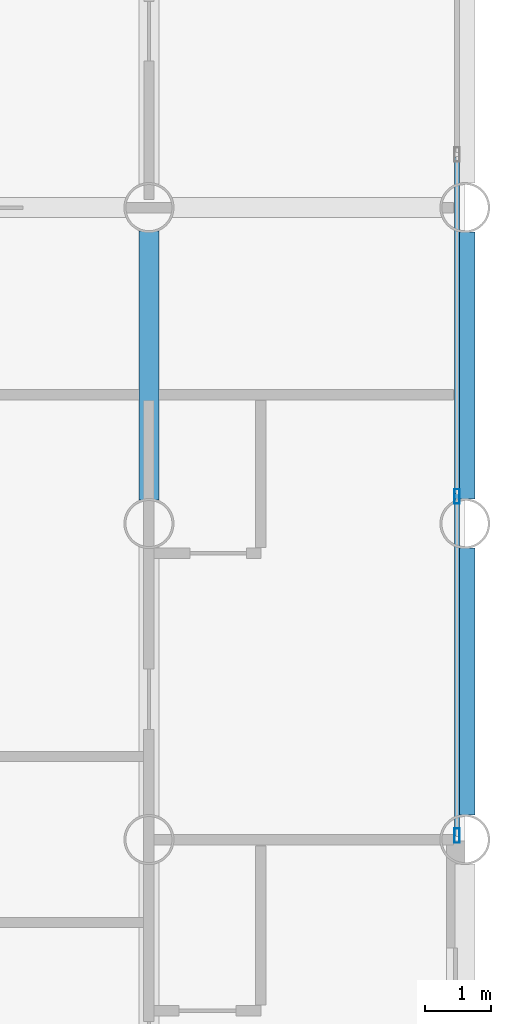
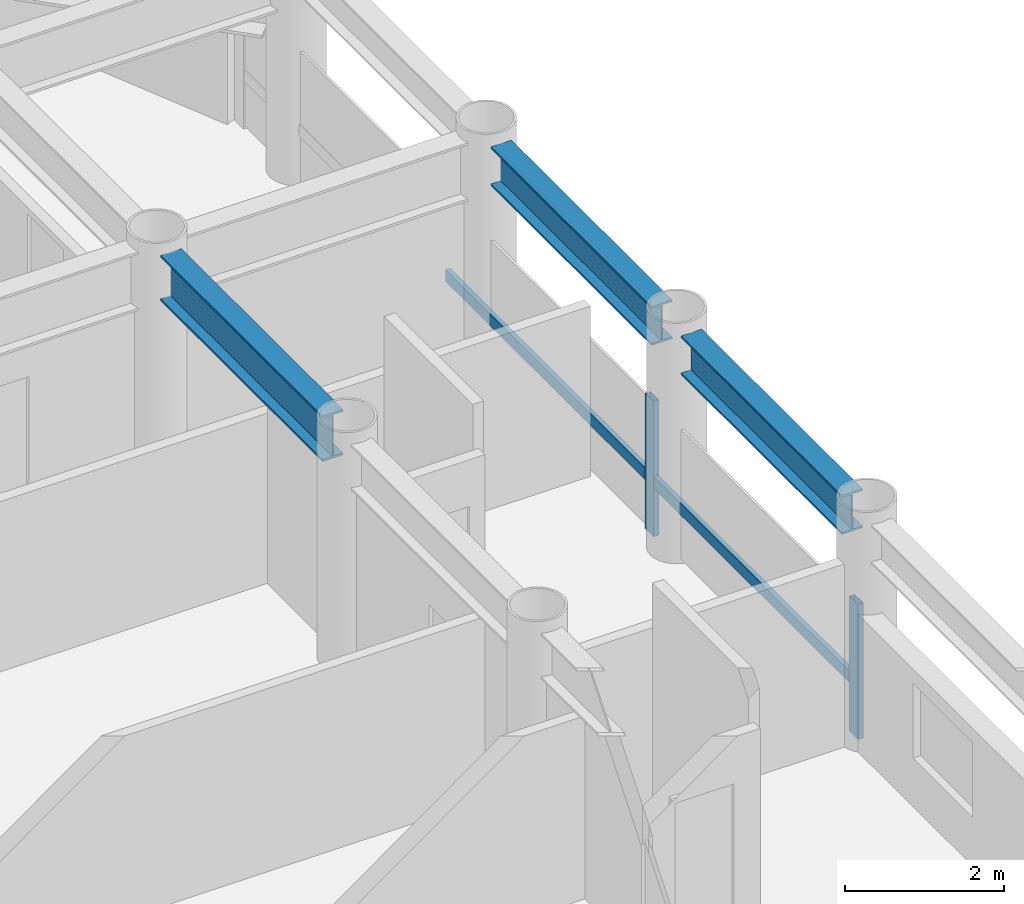
# One storey, part 8 of 20: 4 members, 3 beams, 1 element without a shape of its own.
"""IFC4 building model written with IfcOpenShell, lengths in metres."""

from ifc_helpers import new_model, si_unit, direction, frame, origin, origin_2d, place, context, subcontext, project, spatial, hollow_rectangle, i_section, extrude, material, layer, layer_set, material_profile, profile_set, type_object, element, aggregate, save


model = new_model("IFC4")

# Units and contexts
model_context = context("Model", 3, precision=1e-05, world=origin(), true_north=direction((0.0, 1.0)))
body_context = subcontext(model_context, "Body", "Model", "MODEL_VIEW")
ifc_project = project(units=[si_unit("LENGTHUNIT", "METRE"), si_unit("AREAUNIT", "SQUARE_METRE"), si_unit("VOLUMEUNIT", "CUBIC_METRE"), si_unit("PLANEANGLEUNIT", "RADIAN"), si_unit("MASSUNIT", "GRAM", prefix="KILO")], contexts=[model_context])

# Site, building, storey
site_placement = place(None, origin())
site = spatial("IfcSite", under=ifc_project, at=site_placement, CompositionType="ELEMENT")
building_placement = place(site_placement, origin())
building = spatial("IfcBuilding", under=site, at=building_placement, Name="Kallvorn Hotel Tower", CompositionType="ELEMENT")
storey_placement = place(building_placement, frame((0.0, 0.0, 78.10009765625)))
storey = spatial("IfcBuildingStorey", under=building, at=storey_placement, Name="L18", CompositionType="ELEMENT", Elevation=78.10009765625)

# Beams
ifc_material_1 = material(Name="Structural steel S355JR", Category="steel")
ifc_material_profile_1 = material_profile(ifc_material_1, i_section(OverallWidth=0.300048828125, OverallDepth=0.60009765625, WebThickness=0.015380859375, FlangeThickness=0.030029296875, at=origin_2d()), Name="HE 600 B")
ifc_profile_set_1 = profile_set([ifc_material_profile_1], Name="Structural steel S355JR")
beam_type_1 = type_object("IfcBeamType", Name="BM_HE600B", PredefinedType="SPANDREL", material=ifc_profile_set_1)
beam_1_placement = place(storey_placement, frame((33.60009765625, 0.37109375, 3.219970703125), z_axis=(0.0, 1.0, 0.0), x_axis=(-1.0, 0.0, 0.0)))
element("IfcBeam", 1, at=beam_1_placement, inside=storey, type_object=beam_type_1, Name="L19 Perimeter Spandrel 186", PredefinedType="SPANDREL", context=body_context, shape_type="SweptSolid", body=[
    extrude(i_section(OverallWidth=0.300048828125, OverallDepth=0.60009765625, WebThickness=0.015380859375, FlangeThickness=0.030029296875, at=origin_2d()), origin(), (0.0, 0.0, 1.0), 4.057861328125),
])
beam_2_placement = place(storey_placement, frame((33.60009765625, 5.1708984375, 3.219970703125), z_axis=(0.0, 1.0, 0.0), x_axis=(-1.0, 0.0, 0.0)))
element("IfcBeam", 2, at=beam_2_placement, inside=storey, type_object=beam_type_1, Name="L19 Perimeter Spandrel 187", PredefinedType="SPANDREL", context=body_context, shape_type="SweptSolid", body=[
    extrude(i_section(OverallWidth=0.300048828125, OverallDepth=0.60009765625, WebThickness=0.015380859375, FlangeThickness=0.030029296875, at=origin_2d()), origin(), (0.0, 0.0, 1.0), 4.05810546875),
])
ifc_material_2 = material(Name="Structural steel S355JR", Category="steel")
ifc_material_profile_2 = material_profile(ifc_material_2, i_section(OverallWidth=0.300048828125, OverallDepth=0.699951171875, WebThickness=0.01708984375, FlangeThickness=0.031982421875, at=origin_2d()), Name="HE 700 B")
ifc_profile_set_2 = profile_set([ifc_material_profile_2], Name="Structural steel S355JR")
beam_type_2 = type_object("IfcBeamType", Name="BM_HE700B", PredefinedType="BEAM", material=ifc_profile_set_2)
beam_3_placement = place(storey_placement, frame((28.800048828125, 5.156005859375, 3.169921875), z_axis=(0.0, 1.0, 0.0), x_axis=(-1.0, 0.0, 0.0)))
element("IfcBeam", 3, at=beam_3_placement, inside=storey, type_object=beam_type_2, Name="L19 Primary Y-Girder 148", PredefinedType="BEAM", context=body_context, shape_type="SweptSolid", body=[
    extrude(i_section(OverallWidth=0.300048828125, OverallDepth=0.699951171875, WebThickness=0.01708984375, FlangeThickness=0.031982421875, at=origin_2d()), origin(), (0.0, 0.0, 1.0), 4.087890625),
])

# Curtain wall, members
ifc_material_3 = material(Name="Thermally broken black-anodised aluminium AA 6063-T6", Category="aluminium")
ifc_layer = layer(ifc_material_3, 0.199951171875)
ifc_layer_set = layer_set([ifc_layer], Name="CW_SYS_3_HOTEL_LOW")
curtain_wall_type = type_object("IfcCurtainWallType", Name="CW_SYS_3_HOTEL_LOW", PredefinedType="USERDEFINED", material=ifc_layer_set)
curtain_wall_placement = place(storey_placement, origin())
curtain_wall = element("IfcCurtainWall", 4, at=curtain_wall_placement, inside=storey, type_object=curtain_wall_type, Name="L18 Dark-Glass Curtain Wall CW-L18-EN", ObjectType="UNITISED CURTAIN WALL", PredefinedType="USERDEFINED")
ifc_material_4 = material(Name="Thermally broken black-anodised aluminium AA 6063-T6", Category="aluminium")
ifc_material_profile_3 = material_profile(ifc_material_4, hollow_rectangle(XDim=0.080078125, YDim=0.219970703125, WallThickness=0.0048828125, at=origin_2d()), Name="MUL 220x80")
ifc_profile_set_3 = profile_set([ifc_material_profile_3], Name="Thermally broken black-anodised aluminium AA 6063-T6")
member_type_1 = type_object("IfcMemberType", Name="CW_MULLION_220x80", PredefinedType="MULLION", material=ifc_profile_set_3)
member_1_placement = place(storey_placement, frame((33.47998046875, 0.06005859375, 0.02001953125), z_axis=(0.0, 0.0, 1.0), x_axis=(1.0, 0.0, 0.0)))
member_1 = element("IfcMember", 5, at=member_1_placement, type_object=member_type_1, Name="CW-L18-EN Mullion 00", PredefinedType="MULLION", context=body_context, shape_type="SweptSolid", body=[
    extrude(hollow_rectangle(XDim=0.080078125, YDim=0.219970703125, WallThickness=0.0048828125, at=origin_2d()), origin(), (0.0, 0.0, 1.0), 2.079833984375),
])
member_2_placement = place(storey_placement, frame((33.47998046875, 5.21337890625, 0.02001953125), z_axis=(0.0, 0.0, 1.0), x_axis=(1.0, 0.0, 0.0)))
member_2 = element("IfcMember", 6, at=member_2_placement, type_object=member_type_1, Name="CW-L18-EN Mullion 01", PredefinedType="MULLION", context=body_context, shape_type="SweptSolid", body=[
    extrude(hollow_rectangle(XDim=0.080078125, YDim=0.219970703125, WallThickness=0.0048828125, at=origin_2d()), origin(), (0.0, 0.0, 1.0), 2.079833984375),
])
ifc_material_5 = material(Name="Thermally broken black-anodised aluminium AA 6063-T6", Category="aluminium")
ifc_material_profile_4 = material_profile(ifc_material_5, hollow_rectangle(XDim=0.070068359375, YDim=0.179931640625, WallThickness=0.00390625, at=origin_2d()), Name="TRN 180x70")
ifc_profile_set_4 = profile_set([ifc_material_profile_4], Name="Thermally broken black-anodised aluminium AA 6063-T6")
member_type_2 = type_object("IfcMemberType", Name="CW_TRANSOM_180x70", PredefinedType="USERDEFINED", material=ifc_profile_set_4)
member_3_placement = place(storey_placement, frame((33.47998046875, 0.06005859375, 0.849853515625), z_axis=(0.0, 1.0, 0.0), x_axis=(-1.0, 0.0, 0.0)))
member_3 = element("IfcMember", 7, at=member_3_placement, type_object=member_type_2, Name="CW-L18-EN Transom 00M", ObjectType="TRANSOM", PredefinedType="USERDEFINED", context=body_context, shape_type="SweptSolid", body=[
    extrude(hollow_rectangle(XDim=0.070068359375, YDim=0.179931640625, WallThickness=0.00390625, at=origin_2d()), origin(), (0.0, 0.0, 1.0), 5.11328125),
])
member_4_placement = place(storey_placement, frame((33.47998046875, 5.25341796875, 0.849853515625), z_axis=(0.0, 1.0, 0.0), x_axis=(-1.0, 0.0, 0.0)))
member_4 = element("IfcMember", 8, at=member_4_placement, type_object=member_type_2, Name="CW-L18-EN Transom 01M", ObjectType="TRANSOM", PredefinedType="USERDEFINED", context=body_context, shape_type="SweptSolid", body=[
    extrude(hollow_rectangle(XDim=0.070068359375, YDim=0.179931640625, WallThickness=0.00390625, at=origin_2d()), origin(), (0.0, 0.0, 1.0), 5.11328125),
])
aggregate(curtain_wall, [member_1, member_2, member_3, member_4])

save(model, "model.ifc")
